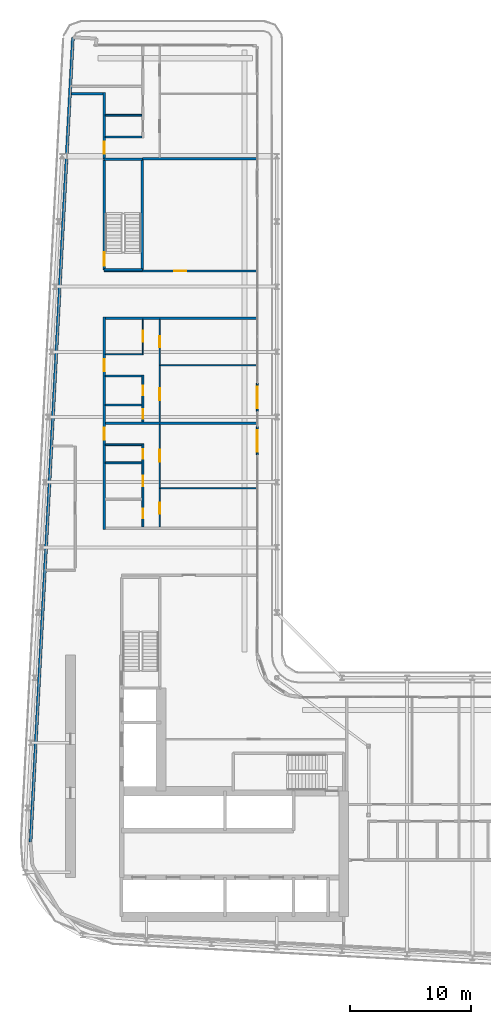
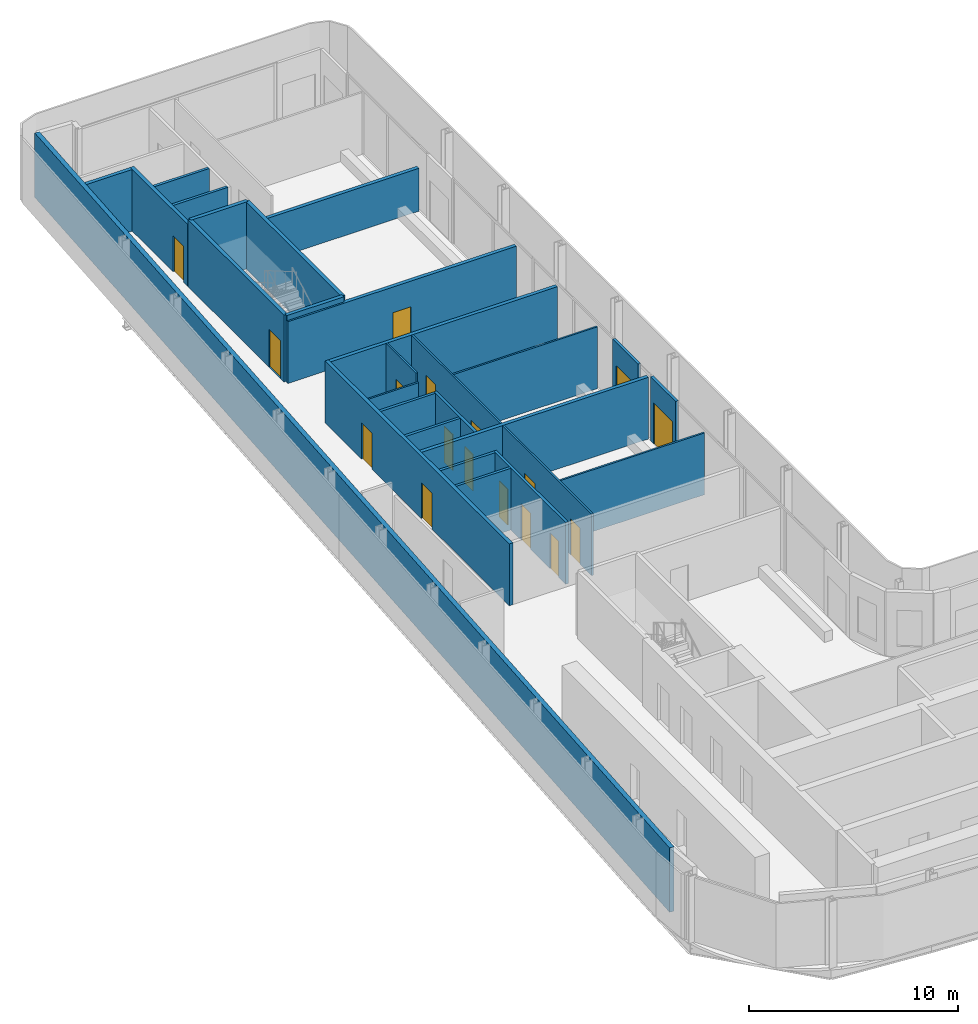
# One storey, part 17 of 26: 28 walls, 17 doors, 17 openings.
"""IFC4 building model written with IfcOpenShell, lengths in metres."""

import ifcopenshell
import ifcopenshell.guid

model = None  # the IFC model being written
_history = None  # IfcOwnerHistory: only IFC2X3 demands one
_inside = {}  # id of a spatial element -> (the spatial element, [elements in it])
_under = {}  # id of a project, library or spatial element -> (it, [spatial elements below it])
_declared = {}  # id of a project -> (the project, [libraries it declares])
_typed = {}  # id of a type object -> (the type object, [elements of that type])
_made_of = {}  # id of a material, layer set ... -> (it, [elements and type objects made of it])


def new_model(schema):
    """Start an empty IFC model of exactly this schema.

    Asked for "IFC4X3", IfcOpenShell would pick the latest addendum, in which some entities
    have other attributes; the version numbers below select the first issue.
    IFC2X3 requires an IfcOwnerHistory on every rooted entity: one is made here for all.
    """
    global model, _history
    if schema == "IFC4X3":
        model = ifcopenshell.file(schema_version=(4, 3, 0, 0))
    else:
        model = ifcopenshell.file(schema=schema)
    _inside.clear()
    _under.clear()
    _declared.clear()
    _typed.clear()
    _made_of.clear()
    _history = None
    if model.schema == "IFC2X3":
        org = make("IfcOrganization", Name="unknown")
        user = make(
            "IfcPersonAndOrganization",
            ThePerson=make("IfcPerson", FamilyName="unknown"),
            TheOrganization=org,
        )
        app = make(
            "IfcApplication",
            ApplicationDeveloper=org,
            Version="unknown",
            ApplicationFullName="unknown",
            ApplicationIdentifier="unknown",
        )
        _history = make(
            "IfcOwnerHistory",
            OwningUser=user,
            OwningApplication=app,
            ChangeAction="ADDED",
            CreationDate=0,
        )
    return model


def make(cls, **values):
    """One entity of the class cls with the attributes given. An attribute that is None is left unset."""
    return model.create_entity(
        cls, **{name: value for name, value in values.items() if value is not None}
    )


def rooted(cls, **values):
    """An entity with a GlobalId (a new one), such as an element, a storey or a relation."""
    return make(cls, GlobalId=ifcopenshell.guid.new(), OwnerHistory=_history, **values)


def si_unit(unit_type, name, prefix=None):
    """IfcSIUnit, for example si_unit("LENGTHUNIT", "METRE", prefix="MILLI")."""
    return make("IfcSIUnit", UnitType=unit_type, Prefix=prefix, Name=name)


def assignment(units):
    """IfcUnitAssignment: the units of a project."""
    return None if units is None else make("IfcUnitAssignment", Units=units)


def point(xyz):
    """IfcCartesianPoint."""
    return None if xyz is None else make("IfcCartesianPoint", Coordinates=xyz)


def direction(xyz):
    """IfcDirection."""
    return None if xyz is None else make("IfcDirection", DirectionRatios=xyz)


def frame(location, z_axis=None, x_axis=None):
    """IfcAxis2Placement3D, a coordinate frame: its origin and axes. An axis left out is left unset."""
    return make(
        "IfcAxis2Placement3D",
        Location=point(location),
        Axis=direction(z_axis),
        RefDirection=direction(x_axis),
    )


def frame_2d(location, x_axis=None):
    """IfcAxis2Placement2D, a coordinate frame in the plane: its origin and x axis."""
    return make(
        "IfcAxis2Placement2D", Location=point(location), RefDirection=direction(x_axis)
    )


def origin():
    """The frame at (0, 0, 0) with its axes left unset."""
    return frame((0.0, 0.0, 0.0))


def place(relative_to, where):
    """IfcLocalPlacement: puts the frame where relative to a parent placement (None: the world)."""
    return make(
        "IfcLocalPlacement", PlacementRelTo=relative_to, RelativePlacement=where
    )


def context(
    kind, dimensions, precision=None, world=None, true_north=None, identifier=None
):
    """IfcGeometricRepresentationContext, for example the 3D "Model" context."""
    return make(
        "IfcGeometricRepresentationContext",
        ContextIdentifier=identifier,
        ContextType=kind,
        CoordinateSpaceDimension=dimensions,
        Precision=precision,
        WorldCoordinateSystem=world,
        TrueNorth=true_north,
    )


def subcontext(parent, identifier, kind, view, scale=None):
    """IfcGeometricRepresentationSubContext, for example "Body" below "Model"."""
    return make(
        "IfcGeometricRepresentationSubContext",
        ContextIdentifier=identifier,
        ContextType=kind,
        ParentContext=parent,
        TargetScale=scale,
        TargetView=view,
    )


def project(units=None, contexts=None):
    """IfcProject with its units and contexts."""
    return rooted(
        "IfcProject",
        Name="project",
        RepresentationContexts=contexts,
        UnitsInContext=assignment(units),
    )


def spatial(cls, under=None, at=None, **own):
    """A site, building, storey or space (cls), placed at a placement, below another one or the project."""
    s = rooted(cls, ObjectPlacement=at, **own)
    if under is not None:
        _under.setdefault(under.id(), (under, []))[1].append(s)
    return s


def profile(cls, at=None, kind="AREA", **sizes):
    """A parametric profile (cls). Its sizes go by their IFC names, for example OverallWidth=200.0."""
    return make(cls, ProfileType=kind, Position=at, **sizes)


def rectangle(**sizes):
    """IfcRectangleProfileDef."""
    return profile("IfcRectangleProfileDef", **sizes)


def extrude(swept, where, along, depth):
    """IfcExtrudedAreaSolid: the profile swept, set in the frame where, extruded along a direction by depth."""
    return make(
        "IfcExtrudedAreaSolid",
        SweptArea=swept,
        Position=where,
        ExtrudedDirection=direction(along),
        Depth=depth,
    )


def shape(context_of_items, identifier, shape_type, items):
    """IfcShapeRepresentation: the items that make up one representation, for example the "Body"."""
    return make(
        "IfcShapeRepresentation",
        ContextOfItems=context_of_items,
        RepresentationIdentifier=identifier,
        RepresentationType=shape_type,
        Items=items,
    )


def source(mapping_origin, context_of_items, identifier, shape_type, items):
    """IfcRepresentationMap: a shape defined once, which mapped items show again and again."""
    return make(
        "IfcRepresentationMap",
        MappingOrigin=mapping_origin,
        MappedRepresentation=shape(context_of_items, identifier, shape_type, items),
    )


def transform(
    local_origin,
    x_axis=None,
    y_axis=None,
    z_axis=None,
    scale=None,
    scale2=None,
    scale3=None,
    uniform=True,
):
    """IfcCartesianTransformationOperator3D, or its non-uniform kind. x_axis, y_axis, z_axis: its Axis1, 2, 3."""
    if uniform:
        return make(
            "IfcCartesianTransformationOperator3D",
            Axis1=direction(x_axis),
            Axis2=direction(y_axis),
            LocalOrigin=point(local_origin),
            Scale=scale,
            Axis3=direction(z_axis),
        )
    return make(
        "IfcCartesianTransformationOperator3DnonUniform",
        Axis1=direction(x_axis),
        Axis2=direction(y_axis),
        LocalOrigin=point(local_origin),
        Scale=scale,
        Axis3=direction(z_axis),
        Scale2=scale2,
        Scale3=scale3,
    )


def mapped(mapping_source, mapping_target):
    """IfcMappedItem: shows the shape of a source again, moved by a transform."""
    return make(
        "IfcMappedItem", MappingSource=mapping_source, MappingTarget=mapping_target
    )


def material(Name=None, Category=None):
    """IfcMaterial."""
    return make("IfcMaterial", Name=Name, Category=Category)


def layer(
    of_material, thickness, ventilated=None, Name=None, Category=None, Priority=None
):
    """IfcMaterialLayer: one layer of a wall or slab, of a material (None: an air gap)."""
    return make(
        "IfcMaterialLayer",
        Material=of_material,
        LayerThickness=thickness,
        IsVentilated=ventilated,
        Name=Name,
        Category=Category,
        Priority=Priority,
    )


def layer_set(layers, Name=None):
    """IfcMaterialLayerSet."""
    return make("IfcMaterialLayerSet", MaterialLayers=layers, LayerSetName=Name)


def made_of(thing, what):
    """Note that an element or type object is made of a material, layer set ...; save() writes the relation."""
    if what is not None:
        _made_of.setdefault(what.id(), (what, []))[1].append(thing)
    return thing


def type_object(cls, material=None, **own):
    """A type object (cls), such as IfcWallType, which elements share."""
    return made_of(rooted(cls, **own), material)


def element(
    cls,
    number,
    at=None,
    inside=None,
    cuts=None,
    type_object=None,
    material=None,
    context=None,
    identifier="Body",
    shape_type=None,
    held_by="IfcProductDefinitionShape",
    body=None,
    shapes=None,
    **own,
):
    """One element of the class cls, such as IfcWall. Its Tag is "e" and its number.

    at: its placement. inside: the storey or other place that contains it. cuts: it is an
    opening in that element (IfcRelVoidsElement). A single representation is given by context,
    identifier, shape_type and body (its items); several are given by shapes. held_by: the class
    of the entity that holds the representations. save() writes the other relations.
    """
    e = rooted(cls, Tag="e%d" % number, ObjectPlacement=at, **own)
    if body is not None:
        shapes = [shape(context, identifier, shape_type, body)]
    if shapes is not None:
        e.Representation = make(held_by, Representations=shapes)
    if inside is not None:
        _inside.setdefault(inside.id(), (inside, []))[1].append(e)
    if cuts is not None:
        rooted(
            "IfcRelVoidsElement", RelatingBuildingElement=cuts, RelatedOpeningElement=e
        )
    if type_object is not None:
        _typed.setdefault(type_object.id(), (type_object, []))[1].append(e)
    return made_of(e, material)


def fill(opening, filler):
    """IfcRelFillsElement: the door or window that sits in an opening."""
    return rooted(
        "IfcRelFillsElement",
        RelatingOpeningElement=opening,
        RelatedBuildingElement=filler,
    )


def aggregate(whole, parts):
    """IfcRelAggregates: a whole, such as a stair, and the parts it consists of."""
    return rooted("IfcRelAggregates", RelatingObject=whole, RelatedObjects=parts)


def save(model, path):
    """Write the relations noted so far, then the file.

    IfcRelAggregates (storeys below a building ...), IfcRelContainedInSpatialStructure (elements
    in a storey), IfcRelDefinesByType, IfcRelAssociatesMaterial and IfcRelDeclares: one each for
    every whole, place, type object, material and project.
    """
    for whole, parts in _under.values():
        aggregate(whole, parts)
    for where, things in _inside.values():
        rooted(
            "IfcRelContainedInSpatialStructure",
            RelatedElements=things,
            RelatingStructure=where,
        )
    for kind, things in _typed.values():
        rooted("IfcRelDefinesByType", RelatedObjects=things, RelatingType=kind)
    for what, things in _made_of.values():
        rooted("IfcRelAssociatesMaterial", RelatedObjects=things, RelatingMaterial=what)
    for by, libraries in _declared.values():
        rooted("IfcRelDeclares", RelatingContext=by, RelatedDefinitions=libraries)
    model.write(path)


model = new_model("IFC4")

# Units and contexts
model_context = context("Model", 3, precision=1e-05, world=origin(), true_north=direction((0.0, 1.0)))
body_context = subcontext(model_context, "Body", "Model", "MODEL_VIEW")
ifc_project = project(units=[si_unit("LENGTHUNIT", "METRE"), si_unit("AREAUNIT", "SQUARE_METRE"), si_unit("VOLUMEUNIT", "CUBIC_METRE"), si_unit("PLANEANGLEUNIT", "RADIAN"), si_unit("MASSUNIT", "GRAM", prefix="KILO")], contexts=[model_context])

# Site, building, storey
site_placement = place(None, origin())
site = spatial("IfcSite", under=ifc_project, at=site_placement, CompositionType="ELEMENT")
building_placement = place(site_placement, origin())
building = spatial("IfcBuilding", under=site, at=building_placement, Name="Kheshtan School and Residences Tower", CompositionType="ELEMENT")
storey_placement = place(building_placement, frame((0.0, 0.0, 156.5)))
storey = spatial("IfcBuildingStorey", under=building, at=storey_placement, Name="L36", CompositionType="ELEMENT", Elevation=156.5)

# Wall
ifc_material_1 = material(Name="Gypsum board on steel studs with fire boards", Category="steel")
ifc_layer_1 = layer(ifc_material_1, 0.199951171875)
ifc_layer_set_1 = layer_set([ifc_layer_1], Name="Corridor wall 200")
wall_type_1 = type_object("IfcWallType", Name="Corridor wall 200", PredefinedType="PARTITIONING", material=ifc_layer_set_1)
wall_1_placement = place(storey_placement, frame((30.584716796875, 94.0, 0.0), z_axis=(0.0, 0.0, 1.0), x_axis=(1.0, 0.0, 0.0)))
element("IfcWall", 1, at=wall_1_placement, inside=storey, type_object=wall_type_1, Name="Partition L36-002", PredefinedType="PARTITIONING", context=body_context, shape_type="SweptSolid", body=[
    extrude(rectangle(XDim=2.615234375, YDim=0.199951171875, at=frame_2d((1.3076171875, 0.0))), origin(), (0.0, 0.0, 1.0), 3.60009765625),
])

# Wall, openings, doors
wall_2_placement = place(storey_placement, frame((33.300048828125, 57.89990234375, 0.0), z_axis=(0.0, 0.0, 1.0), x_axis=(0.0, 1.0, 0.0)))
wall_2 = element("IfcWall", 2, at=wall_2_placement, inside=storey, type_object=wall_type_1, Name="Partition L36-003", PredefinedType="PARTITIONING", context=body_context, shape_type="SweptSolid", body=[
    extrude(rectangle(XDim=17.60009765625, YDim=0.199951171875, at=frame_2d((8.800048828125, 0.0))), origin(), (0.0, 0.0, 1.0), 3.60009765625),
])
opening_1_placement = place(wall_2_placement, frame((7.39990234375, 0.0, 0.0)))
opening_1 = element("IfcOpeningElement", 3, at=opening_1_placement, cuts=wall_2, Name="Opening D35-028", PredefinedType="OPENING", context=body_context, shape_type="SweptSolid", body=[
    extrude(rectangle(XDim=1.0, YDim=2.10009765625, at=frame_2d((0.5, 1.050048828125))), frame((0.0, 0.10986328125, 0.0), z_axis=(0.0, -1.0, 0.0), x_axis=(1.0, 0.0, 0.0)), (0.0, 0.0, 1.0), 0.219970703125),
])
opening_2_placement = place(wall_2_placement, frame((13.10009765625, 0.0, 0.0)))
opening_2 = element("IfcOpeningElement", 4, at=opening_2_placement, cuts=wall_2, Name="Opening D35-034", PredefinedType="OPENING", context=body_context, shape_type="SweptSolid", body=[
    extrude(rectangle(XDim=1.0, YDim=2.10009765625, at=frame_2d((0.5, 1.050048828125))), frame((0.0, 0.10986328125, 0.0), z_axis=(0.0, -1.0, 0.0), x_axis=(1.0, 0.0, 0.0)), (0.0, 0.0, 1.0), 0.219970703125),
])
ifc_material_2 = material(Name="Steel-framed fire-resisting door leaf", Category="steel")
door_type_1 = type_object("IfcDoorType", Name="Fire door FD30S 1000 x 2100", OperationType="SINGLE_SWING_LEFT", PredefinedType="DOOR", material=ifc_material_2)
shared_shape_1 = source(origin(), body_context, "Body", "SweptSolid", [
    extrude(rectangle(XDim=1.0, YDim=2.10009765625, at=frame_2d((0.5, 1.050048828125))), frame((0.0, 0.02490234375, 0.0), z_axis=(0.0, -1.0, 0.0), x_axis=(1.0, 0.0, 0.0)), (0.0, 0.0, 1.0), 0.050048828125),
])
door_1_placement = place(opening_1_placement, origin())
door_1 = element("IfcDoor", 5, at=door_1_placement, inside=storey, type_object=door_type_1, Name="Door D35-028", OperationType="SINGLE_SWING_LEFT", OverallHeight=2.10009765625, OverallWidth=1.0, PredefinedType="DOOR", context=body_context, shape_type="MappedRepresentation", body=[
    mapped(shared_shape_1, transform((0.0, 0.0, 0.0), x_axis=(1.0, 0.0, 0.0), y_axis=(0.0, 1.0, 0.0), z_axis=(0.0, 0.0, 1.0), scale=1.0)),
])
fill(opening_1, door_1)
door_2_placement = place(opening_2_placement, origin())
door_2 = element("IfcDoor", 6, at=door_2_placement, inside=storey, type_object=door_type_1, Name="Door D35-034", OperationType="SINGLE_SWING_RIGHT", OverallHeight=2.10009765625, OverallWidth=1.0, PredefinedType="DOOR", context=body_context, shape_type="MappedRepresentation", body=[
    mapped(shared_shape_1, transform((0.0, 0.0, 0.0), x_axis=(1.0, 0.0, 0.0), y_axis=(0.0, 1.0, 0.0), z_axis=(0.0, 0.0, 1.0), scale=1.0)),
])
fill(opening_2, door_2)

# Wall, opening, door
wall_3_placement = place(storey_placement, frame((33.300048828125, 79.300048828125, 0.0), z_axis=(0.0, 0.0, 1.0), x_axis=(1.0, 0.0, 0.0)))
wall_3 = element("IfcWall", 7, at=wall_3_placement, inside=storey, type_object=wall_type_1, Name="Partition L36-004", PredefinedType="PARTITIONING", context=body_context, shape_type="SweptSolid", body=[
    extrude(rectangle(XDim=12.599853515625, YDim=0.199951171875, at=frame_2d((6.2998046875, 0.0))), origin(), (0.0, 0.0, 1.0), 3.60009765625),
])
opening_3_placement = place(wall_3_placement, frame((5.794921875, 0.0, 0.0)))
opening_3 = element("IfcOpeningElement", 8, at=opening_3_placement, cuts=wall_3, Name="Opening D35-047", PredefinedType="OPENING", context=body_context, shape_type="SweptSolid", body=[
    extrude(rectangle(XDim=1.0, YDim=2.10009765625, at=frame_2d((0.5, 1.050048828125))), frame((0.0, 0.10986328125, 0.0), z_axis=(0.0, -1.0, 0.0), x_axis=(1.0, 0.0, 0.0)), (0.0, 0.0, 1.0), 0.219970703125),
])
door_type_2 = type_object("IfcDoorType", Name="Fire door FD60 1000 x 2100", OperationType="SINGLE_SWING_LEFT", PredefinedType="DOOR", material=ifc_material_2)
shared_shape_2 = source(origin(), body_context, "Body", "SweptSolid", [
    extrude(rectangle(XDim=1.0, YDim=2.10009765625, at=frame_2d((0.5, 1.050048828125))), frame((0.0, 0.02490234375, 0.0), z_axis=(0.0, -1.0, 0.0), x_axis=(1.0, 0.0, 0.0)), (0.0, 0.0, 1.0), 0.050048828125),
])
door_3_placement = place(opening_3_placement, origin())
door_3 = element("IfcDoor", 9, at=door_3_placement, inside=storey, type_object=door_type_2, Name="Door D35-047", OperationType="SINGLE_SWING_RIGHT", OverallHeight=2.10009765625, OverallWidth=1.0, PredefinedType="DOOR", context=body_context, shape_type="MappedRepresentation", body=[
    mapped(shared_shape_2, transform((0.0, 0.0, 0.0), x_axis=(1.0, 0.0, 0.0), y_axis=(0.0, 1.0, 0.0), z_axis=(0.0, 0.0, 1.0), scale=1.0)),
])
fill(opening_3, door_3)

wall_4_placement = place(storey_placement, frame((33.300048828125, 88.60009765625, 0.0), z_axis=(0.0, 0.0, 1.0), x_axis=(0.0, 1.0, 0.0)))
wall_4 = element("IfcWall", 10, at=wall_4_placement, inside=storey, type_object=wall_type_1, Name="Partition L36-005", PredefinedType="PARTITIONING", context=body_context, shape_type="SweptSolid", body=[
    extrude(rectangle(XDim=5.5, YDim=0.199951171875, at=frame_2d((2.75, 0.0))), origin(), (0.0, 0.0, 1.0), 3.60009765625),
])
opening_4_placement = place(wall_4_placement, frame((0.39990234375, 0.0, 0.0)))
opening_4 = element("IfcOpeningElement", 11, at=opening_4_placement, cuts=wall_4, Name="Opening D35-040", PredefinedType="OPENING", context=body_context, shape_type="SweptSolid", body=[
    extrude(rectangle(XDim=1.0, YDim=2.10009765625, at=frame_2d((0.5, 1.050048828125))), frame((0.0, 0.10986328125, 0.0), z_axis=(0.0, -1.0, 0.0), x_axis=(1.0, 0.0, 0.0)), (0.0, 0.0, 1.0), 0.219970703125),
])
door_4_placement = place(opening_4_placement, origin())
door_4 = element("IfcDoor", 12, at=door_4_placement, inside=storey, type_object=door_type_1, Name="Door D35-040", OperationType="SINGLE_SWING_LEFT", OverallHeight=2.10009765625, OverallWidth=1.0, PredefinedType="DOOR", context=body_context, shape_type="MappedRepresentation", body=[
    mapped(shared_shape_1, transform((0.0, 0.0, 0.0), x_axis=(1.0, 0.0, 0.0), y_axis=(0.0, 1.0, 0.0), z_axis=(0.0, 0.0, 1.0), scale=1.0)),
])
fill(opening_4, door_4)

# Walls
wall_5_placement = place(storey_placement, frame((33.39990234375, 75.39990234375, 0.0), z_axis=(0.0, 0.0, 1.0), x_axis=(1.0, 0.0, 0.0)))
element("IfcWall", 13, at=wall_5_placement, inside=storey, type_object=wall_type_1, Name="Partition L36-014", PredefinedType="PARTITIONING", context=body_context, shape_type="SweptSolid", body=[
    extrude(rectangle(XDim=12.5, YDim=0.199951171875, at=frame_2d((6.25, 0.0))), origin(), (0.0, 0.0, 1.0), 3.60009765625),
])
ifc_material_3 = material(Name="Concrete C40/50 with ceramic cladding and mineral wool insulation", Category="concrete")
ifc_layer_2 = layer(ifc_material_3, 0.25)
ifc_layer_set_2 = layer_set([ifc_layer_2], Name="External wall 250 ceramic clad")
wall_type_2 = type_object("IfcWallType", Name="External wall 250 ceramic clad", PredefinedType="SOLIDWALL", material=ifc_layer_set_2)
wall_6_placement = place(storey_placement, frame((27.195068359375, 31.968994140625, 0.0), z_axis=(0.0, 0.0, 1.0), x_axis=(0.052554995867, 0.998618031286, 0.0)))
element("IfcWall", 14, at=wall_6_placement, inside=storey, type_object=wall_type_2, Name="External wall L36 4", PredefinedType="SOLIDWALL", context=body_context, shape_type="SweptSolid", body=[
    extrude(rectangle(XDim=66.787353515625, YDim=0.25, at=frame_2d((33.3935546875, 0.0))), origin(), (0.0, 0.0, 1.0), 3.75),
])

# Wall, opening, door
ifc_material_4 = material(Name="Aluminium frame wall with insulated infill", Category="aluminium")
ifc_layer_3 = layer(ifc_material_4, 0.14990234375)
ifc_layer_set_3 = layer_set([ifc_layer_3], Name="Glazing frame wall 150")
wall_type_3 = type_object("IfcWallType", Name="Glazing frame wall 150", PredefinedType="SOLIDWALL", material=ifc_layer_set_3)
wall_7_placement = place(storey_placement, frame((45.97509765625, 70.01806640625, 0.0), z_axis=(0.0, 0.0, 1.0), x_axis=(0.0, -1.0, 0.0)))
wall_7 = element("IfcWall", 15, at=wall_7_placement, inside=storey, type_object=wall_type_3, Name="Balcony door wall L36 8.3", PredefinedType="SOLIDWALL", context=body_context, shape_type="SweptSolid", body=[
    extrude(rectangle(XDim=2.400146484375, YDim=0.14990234375, at=frame_2d((1.2001953125, 0.0))), origin(), (0.0, 0.0, 1.0), 3.75),
])
opening_5_placement = place(wall_7_placement, frame((0.300048828125, 0.0, 0.0)))
opening_5 = element("IfcOpeningElement", 16, at=opening_5_placement, cuts=wall_7, Name="Opening BD", PredefinedType="OPENING", context=body_context, shape_type="SweptSolid", body=[
    extrude(rectangle(XDim=1.800048828125, YDim=2.39990234375, at=frame_2d((0.89990234375, 1.199951171875))), frame((0.0, 0.0849609375, 0.0), z_axis=(0.0, -1.0, 0.0), x_axis=(1.0, 0.0, 0.0)), (0.0, 0.0, 1.0), 0.169921875),
])
ifc_material_5 = material(Name="Clear low-e glass in thermally broken aluminium frame", Category="aluminium")
door_type_3 = type_object("IfcDoorType", Name="Balcony sliding door", OperationType="SLIDING_TO_LEFT", PredefinedType="DOOR", material=ifc_material_5)
shared_shape_3 = source(origin(), body_context, "Body", "SweptSolid", [
    extrude(rectangle(XDim=1.800048828125, YDim=2.39990234375, at=frame_2d((0.89990234375, 1.199951171875))), frame((0.0, 0.02490234375, 0.0), z_axis=(0.0, -1.0, 0.0), x_axis=(1.0, 0.0, 0.0)), (0.0, 0.0, 1.0), 0.050048828125),
])
door_5_placement = place(opening_5_placement, origin())
door_5 = element("IfcDoor", 17, at=door_5_placement, inside=storey, type_object=door_type_3, Name="Balcony door L36 8.3", OperationType="SLIDING_TO_LEFT", OverallHeight=2.39990234375, OverallWidth=1.800048828125, PredefinedType="DOOR", context=body_context, shape_type="MappedRepresentation", body=[
    mapped(shared_shape_3, transform((0.0, 0.0, 0.0), x_axis=(1.0, 0.0, 0.0), y_axis=(0.0, 1.0, 0.0), z_axis=(0.0, 0.0, 1.0), scale=1.0)),
])
fill(opening_5, door_5)

wall_8_placement = place(storey_placement, frame((45.97509765625, 66.41796875, 0.0), z_axis=(0.0, 0.0, 1.0), x_axis=(0.0, -1.0, 0.0)))
wall_8 = element("IfcWall", 18, at=wall_8_placement, inside=storey, type_object=wall_type_3, Name="Balcony door wall L36 8.4", PredefinedType="SOLIDWALL", context=body_context, shape_type="SweptSolid", body=[
    extrude(rectangle(XDim=2.39990234375, YDim=0.14990234375, at=frame_2d((1.199951171875, 0.0))), origin(), (0.0, 0.0, 1.0), 3.75),
])
opening_6_placement = place(wall_8_placement, frame((0.300048828125, 0.0, 0.0)))
opening_6 = element("IfcOpeningElement", 19, at=opening_6_placement, cuts=wall_8, Name="Opening BD", PredefinedType="OPENING", context=body_context, shape_type="SweptSolid", body=[
    extrude(rectangle(XDim=1.800048828125, YDim=2.39990234375, at=frame_2d((0.89990234375, 1.199951171875))), frame((0.0, 0.0849609375, 0.0), z_axis=(0.0, -1.0, 0.0), x_axis=(1.0, 0.0, 0.0)), (0.0, 0.0, 1.0), 0.169921875),
])
door_6_placement = place(opening_6_placement, origin())
door_6 = element("IfcDoor", 20, at=door_6_placement, inside=storey, type_object=door_type_3, Name="Balcony door L36 8.4", OperationType="SLIDING_TO_LEFT", OverallHeight=2.39990234375, OverallWidth=1.800048828125, PredefinedType="DOOR", context=body_context, shape_type="MappedRepresentation", body=[
    mapped(shared_shape_3, transform((0.0, 0.0, 0.0), x_axis=(1.0, 0.0, 0.0), y_axis=(0.0, 1.0, 0.0), z_axis=(0.0, 0.0, 1.0), scale=1.0)),
])
fill(opening_6, door_6)

# Wall
ifc_material_6 = material(Name="Gypsum board on steel studs", Category="steel")
ifc_layer_4 = layer(ifc_material_6, 0.10009765625)
ifc_layer_set_4 = layer_set([ifc_layer_4], Name="Gypsum partition 100")
wall_type_4 = type_object("IfcWallType", Name="Gypsum partition 100", PredefinedType="PARTITIONING", material=ifc_layer_set_4)
wall_9_placement = place(storey_placement, frame((33.39990234375, 72.39990234375, 0.0), z_axis=(0.0, 0.0, 1.0), x_axis=(1.0, 0.0, 0.0)))
element("IfcWall", 21, at=wall_9_placement, inside=storey, type_object=wall_type_4, Name="Partition L36-013", PredefinedType="PARTITIONING", context=body_context, shape_type="SweptSolid", body=[
    extrude(rectangle(XDim=3.150146484375, YDim=0.10009765625, at=frame_2d((1.5751953125, 0.0))), origin(), (0.0, 0.0, 1.0), 3.072021484375),
])

# Wall, opening, door
wall_10_placement = place(storey_placement, frame((36.5, 72.449951171875, 0.0), z_axis=(0.0, 0.0, 1.0), x_axis=(0.0, 1.0, 0.0)))
wall_10 = element("IfcWall", 22, at=wall_10_placement, inside=storey, type_object=wall_type_4, Name="Partition L36-020", PredefinedType="PARTITIONING", context=body_context, shape_type="SweptSolid", body=[
    extrude(rectangle(XDim=2.85009765625, YDim=0.10009765625, at=frame_2d((1.425048828125, 0.0))), origin(), (0.0, 0.0, 1.0), 3.60009765625),
])
opening_7_placement = place(wall_10_placement, frame((1.0, 0.0, 0.0)))
opening_7 = element("IfcOpeningElement", 23, at=opening_7_placement, cuts=wall_10, Name="Opening D35-035", PredefinedType="OPENING", context=body_context, shape_type="SweptSolid", body=[
    extrude(rectangle(XDim=0.89990234375, YDim=2.10009765625, at=frame_2d((0.449951171875, 1.050048828125))), frame((0.0, 0.06005859375, 0.0), z_axis=(0.0, -1.0, 0.0), x_axis=(1.0, 0.0, 0.0)), (0.0, 0.0, 1.0), 0.1201171875),
])
ifc_material_7 = material(Name="Veneered timber door leaf", Category="wood")
door_type_4 = type_object("IfcDoorType", Name="Door 900 x 2100", OperationType="SINGLE_SWING_LEFT", PredefinedType="DOOR", material=ifc_material_7)
shared_shape_4 = source(origin(), body_context, "Body", "SweptSolid", [
    extrude(rectangle(XDim=0.89990234375, YDim=2.10009765625, at=frame_2d((0.449951171875, 1.050048828125))), frame((0.0, 0.02490234375, 0.0), z_axis=(0.0, -1.0, 0.0), x_axis=(1.0, 0.0, 0.0)), (0.0, 0.0, 1.0), 0.050048828125),
])
door_7_placement = place(opening_7_placement, origin())
door_7 = element("IfcDoor", 24, at=door_7_placement, inside=storey, type_object=door_type_4, Name="Door D35-035", OperationType="SINGLE_SWING_RIGHT", OverallHeight=2.10009765625, OverallWidth=0.89990234375, PredefinedType="DOOR", context=body_context, shape_type="MappedRepresentation", body=[
    mapped(shared_shape_4, transform((0.0, 0.0, 0.0), x_axis=(1.0, 0.0, 0.0), y_axis=(0.0, 1.0, 0.0), z_axis=(0.0, 0.0, 1.0), scale=1.0)),
])
fill(opening_7, door_7)

# Wall, openings, doors
wall_11_placement = place(storey_placement, frame((37.89990234375, 58.10009765625, 0.0), z_axis=(0.0, 0.0, 1.0), x_axis=(0.0, 1.0, 0.0)))
wall_11 = element("IfcWall", 25, at=wall_11_placement, inside=storey, type_object=wall_type_4, Name="Partition L36-023", PredefinedType="PARTITIONING", context=body_context, shape_type="SweptSolid", body=[
    extrude(rectangle(XDim=8.5, YDim=0.10009765625, at=frame_2d((4.25, 0.0))), origin(), (0.0, 0.0, 1.0), 3.60009765625),
])
opening_8_placement = place(wall_11_placement, frame((1.10009765625, 0.0, 0.0)))
opening_8 = element("IfcOpeningElement", 26, at=opening_8_placement, cuts=wall_11, Name="Opening D35-027", PredefinedType="OPENING", context=body_context, shape_type="SweptSolid", body=[
    extrude(rectangle(XDim=0.89990234375, YDim=2.10009765625, at=frame_2d((0.449951171875, 1.050048828125))), frame((0.0, 0.06005859375, 0.0), z_axis=(0.0, -1.0, 0.0), x_axis=(1.0, 0.0, 0.0)), (0.0, 0.0, 1.0), 0.1201171875),
])
opening_9_placement = place(wall_11_placement, frame((5.39990234375, 0.0, 0.0)))
opening_9 = element("IfcOpeningElement", 27, at=opening_9_placement, cuts=wall_11, Name="Opening D35-030", PredefinedType="OPENING", context=body_context, shape_type="SweptSolid", body=[
    extrude(rectangle(XDim=1.0, YDim=2.10009765625, at=frame_2d((0.5, 1.050048828125))), frame((0.0, 0.06005859375, 0.0), z_axis=(0.0, -1.0, 0.0), x_axis=(1.0, 0.0, 0.0)), (0.0, 0.0, 1.0), 0.1201171875),
])
door_type_5 = type_object("IfcDoorType", Name="Door 1000 x 2100", OperationType="SINGLE_SWING_LEFT", PredefinedType="DOOR", material=ifc_material_7)
shared_shape_5 = source(origin(), body_context, "Body", "SweptSolid", [
    extrude(rectangle(XDim=1.0, YDim=2.10009765625, at=frame_2d((0.5, 1.050048828125))), frame((0.0, 0.02490234375, 0.0), z_axis=(0.0, -1.0, 0.0), x_axis=(1.0, 0.0, 0.0)), (0.0, 0.0, 1.0), 0.050048828125),
])
door_8_placement = place(opening_9_placement, origin())
door_8 = element("IfcDoor", 28, at=door_8_placement, inside=storey, type_object=door_type_5, Name="Door D35-030", OperationType="SINGLE_SWING_RIGHT", OverallHeight=2.10009765625, OverallWidth=1.0, PredefinedType="DOOR", context=body_context, shape_type="MappedRepresentation", body=[
    mapped(shared_shape_5, transform((0.0, 0.0, 0.0), x_axis=(1.0, 0.0, 0.0), y_axis=(0.0, 1.0, 0.0), z_axis=(0.0, 0.0, 1.0), scale=1.0)),
])
fill(opening_9, door_8)
door_9_placement = place(opening_8_placement, origin())
door_9 = element("IfcDoor", 29, at=door_9_placement, inside=storey, type_object=door_type_4, Name="Door D35-027", OperationType="SINGLE_SWING_LEFT", OverallHeight=2.10009765625, OverallWidth=0.89990234375, PredefinedType="DOOR", context=body_context, shape_type="MappedRepresentation", body=[
    mapped(shared_shape_4, transform((0.0, 0.0, 0.0), x_axis=(1.0, 0.0, 0.0), y_axis=(0.0, 1.0, 0.0), z_axis=(0.0, 0.0, 1.0), scale=1.0)),
])
fill(opening_8, door_9)

wall_12_placement = place(storey_placement, frame((37.89990234375, 66.800048828125, 0.0), z_axis=(0.0, 0.0, 1.0), x_axis=(0.0, 1.0, 0.0)))
wall_12 = element("IfcWall", 30, at=wall_12_placement, inside=storey, type_object=wall_type_4, Name="Partition L36-024", PredefinedType="PARTITIONING", context=body_context, shape_type="SweptSolid", body=[
    extrude(rectangle(XDim=8.5, YDim=0.10009765625, at=frame_2d((4.25, 0.0))), origin(), (0.0, 0.0, 1.0), 3.60009765625),
])
opening_10_placement = place(wall_12_placement, frame((6.199951171875, 0.0, 0.0)))
opening_10 = element("IfcOpeningElement", 31, at=opening_10_placement, cuts=wall_12, Name="Opening D35-033", PredefinedType="OPENING", context=body_context, shape_type="SweptSolid", body=[
    extrude(rectangle(XDim=0.89990234375, YDim=2.10009765625, at=frame_2d((0.449951171875, 1.050048828125))), frame((0.0, 0.06005859375, 0.0), z_axis=(0.0, -1.0, 0.0), x_axis=(1.0, 0.0, 0.0)), (0.0, 0.0, 1.0), 0.1201171875),
])
opening_11_placement = place(wall_12_placement, frame((1.800048828125, 0.0, 0.0)))
opening_11 = element("IfcOpeningElement", 32, at=opening_11_placement, cuts=wall_12, Name="Opening D35-036", PredefinedType="OPENING", context=body_context, shape_type="SweptSolid", body=[
    extrude(rectangle(XDim=1.0, YDim=2.10009765625, at=frame_2d((0.5, 1.050048828125))), frame((0.0, 0.06005859375, 0.0), z_axis=(0.0, -1.0, 0.0), x_axis=(1.0, 0.0, 0.0)), (0.0, 0.0, 1.0), 0.1201171875),
])
door_10_placement = place(opening_11_placement, origin())
door_10 = element("IfcDoor", 33, at=door_10_placement, inside=storey, type_object=door_type_5, Name="Door D35-036", OperationType="SINGLE_SWING_RIGHT", OverallHeight=2.10009765625, OverallWidth=1.0, PredefinedType="DOOR", context=body_context, shape_type="MappedRepresentation", body=[
    mapped(shared_shape_5, transform((0.0, 0.0, 0.0), x_axis=(1.0, 0.0, 0.0), y_axis=(0.0, 1.0, 0.0), z_axis=(0.0, 0.0, 1.0), scale=1.0)),
])
fill(opening_11, door_10)
door_11_placement = place(opening_10_placement, origin())
door_11 = element("IfcDoor", 34, at=door_11_placement, inside=storey, type_object=door_type_4, Name="Door D35-033", OperationType="SINGLE_SWING_RIGHT", OverallHeight=2.10009765625, OverallWidth=0.89990234375, PredefinedType="DOOR", context=body_context, shape_type="MappedRepresentation", body=[
    mapped(shared_shape_4, transform((0.0, 0.0, 0.0), x_axis=(1.0, 0.0, 0.0), y_axis=(0.0, 1.0, 0.0), z_axis=(0.0, 0.0, 1.0), scale=1.0)),
])
fill(opening_10, door_11)

# Walls
for number, where, z_axis, x_axis, name in (
    (35, (37.949951171875, 61.300048828125, 0.0), (0.0, 0.0, 1.0), (1.0, 0.0, 0.0), "Partition L36-026"),
    (36, (37.949951171875, 71.5, 0.0), (0.0, 0.0, 1.0), (1.0, 0.0, 0.0), "Partition L36-027"),
):
    element("IfcWall", number, at=place(storey_placement, frame(where, z_axis=z_axis, x_axis=x_axis)), inside=storey, type_object=wall_type_4, Name=name, PredefinedType="PARTITIONING", context=body_context, shape_type="SweptSolid", body=[
        extrude(rectangle(XDim=7.949951171875, YDim=0.10009765625, at=frame_2d((3.97509765625, 0.0))), origin(), (0.0, 0.0, 1.0), 3.60009765625),
    ])
ifc_material_8 = material(Name="Concrete C40/50", Category="concrete")
ifc_layer_5 = layer(ifc_material_8, 0.199951171875)
ifc_layer_set_5 = layer_set([ifc_layer_5], Name="Stair enclosure wall 200 Concrete C40/50")
wall_type_5 = type_object("IfcWallType", Name="Stair enclosure wall 200 Concrete C40/50", PredefinedType="SHEAR", material=ifc_layer_set_5)
for number, where, z_axis, x_axis, name in (
    (37, (33.300048828125, 79.39990234375, 0.0), (0.0, 0.0, 1.0), (1.0, 0.0, 0.0), "Stair enclosure wall ST3"),
    (38, (33.300048828125, 88.56005859375, 0.0), (0.0, 0.0, 1.0), (1.0, 0.0, 0.0), "Stair enclosure wall ST3"),
):
    element("IfcWall", number, at=place(storey_placement, frame(where, z_axis=z_axis, x_axis=x_axis)), inside=storey, type_object=wall_type_5, Name=name, PredefinedType="SHEAR", context=body_context, shape_type="SweptSolid", body=[
        extrude(rectangle(XDim=3.14990234375, YDim=0.199951171875, at=frame_2d((1.574951171875, 0.0))), origin(), (0.0, 0.0, 1.0), 3.89990234375),
    ])

# Wall, opening, door
wall_13_placement = place(storey_placement, frame((33.300048828125, 79.39990234375, 0.0), z_axis=(0.0, 0.0, 1.0), x_axis=(0.0, 1.0, 0.0)))
wall_13 = element("IfcWall", 39, at=wall_13_placement, inside=storey, type_object=wall_type_5, Name="Stair enclosure wall ST3", PredefinedType="SHEAR", context=body_context, shape_type="SweptSolid", body=[
    extrude(rectangle(XDim=9.16015625, YDim=0.199951171875, at=frame_2d((4.580078125, 0.0))), origin(), (0.0, 0.0, 1.0), 3.89990234375),
])
opening_12_placement = place(wall_13_placement, frame((0.35009765625, 0.0, 0.0)))
opening_12 = element("IfcOpeningElement", 40, at=opening_12_placement, cuts=wall_13, Name="Opening ST3D", PredefinedType="OPENING", context=body_context, shape_type="SweptSolid", body=[
    extrude(rectangle(XDim=1.10009765625, YDim=2.199951171875, at=frame_2d((0.550048828125, 1.10009765625))), frame((0.0, 0.10986328125, 0.0), z_axis=(0.0, -1.0, 0.0), x_axis=(1.0, 0.0, 0.0)), (0.0, 0.0, 1.0), 0.219970703125),
])
ifc_material_9 = material(Name="Steel door leaf, galvanised", Category="steel")
door_type_6 = type_object("IfcDoorType", Name="Stair door 1100 steel 90 min", OperationType="SINGLE_SWING_LEFT", PredefinedType="DOOR", material=ifc_material_9)
shared_shape_6 = source(origin(), body_context, "Body", "SweptSolid", [
    extrude(rectangle(XDim=1.10009765625, YDim=2.199951171875, at=frame_2d((0.550048828125, 1.10009765625))), frame((0.0, 0.02490234375, 0.0), z_axis=(0.0, -1.0, 0.0), x_axis=(1.0, 0.0, 0.0)), (0.0, 0.0, 1.0), 0.050048828125),
])
door_12_placement = place(opening_12_placement, origin())
door_12 = element("IfcDoor", 41, at=door_12_placement, inside=storey, type_object=door_type_6, Name="Stair ST3 door", OperationType="SINGLE_SWING_RIGHT", OverallHeight=2.199951171875, OverallWidth=1.10009765625, PredefinedType="DOOR", context=body_context, shape_type="MappedRepresentation", body=[
    mapped(shared_shape_6, transform((0.0, 0.0, 0.0), x_axis=(1.0, 0.0, 0.0), y_axis=(0.0, 1.0, 0.0), z_axis=(0.0, 0.0, 1.0), scale=1.0)),
])
fill(opening_12, door_12)

# Walls
wall_14_placement = place(storey_placement, frame((36.449951171875, 79.39990234375, 0.0), z_axis=(0.0, 0.0, 1.0), x_axis=(0.0, 1.0, 0.0)))
element("IfcWall", 42, at=wall_14_placement, inside=storey, type_object=wall_type_5, Name="Stair enclosure wall ST3", PredefinedType="SHEAR", context=body_context, shape_type="SweptSolid", body=[
    extrude(rectangle(XDim=9.16015625, YDim=0.199951171875, at=frame_2d((4.580078125, 0.0))), origin(), (0.0, 0.0, 1.0), 3.89990234375),
])
ifc_material_10 = material(Name="Twin gypsum board on steel studs with mineral wool", Category="steel")
ifc_layer_6 = layer(ifc_material_10, 0.199951171875)
ifc_layer_set_6 = layer_set([ifc_layer_6], Name="Unit demising wall 200")
wall_type_6 = type_object("IfcWallType", Name="Unit demising wall 200", PredefinedType="PARTITIONING", material=ifc_layer_set_6)
wall_15_placement = place(storey_placement, frame((33.39990234375, 66.699951171875, 0.0), z_axis=(0.0, 0.0, 1.0), x_axis=(1.0, 0.0, 0.0)))
element("IfcWall", 43, at=wall_15_placement, inside=storey, type_object=wall_type_6, Name="Partition L36-010", PredefinedType="PARTITIONING", context=body_context, shape_type="SweptSolid", body=[
    extrude(rectangle(XDim=12.5, YDim=0.199951171875, at=frame_2d((6.25, 0.0))), origin(), (0.0, 0.0, 1.0), 3.60009765625),
])
wall_16_placement = place(storey_placement, frame((36.449951171875, 88.60009765625, 0.0), z_axis=(0.0, 0.0, 1.0), x_axis=(1.0, 0.0, 0.0)))
element("IfcWall", 44, at=wall_16_placement, inside=storey, type_object=wall_type_6, Name="Partition L36-021", PredefinedType="PARTITIONING", context=body_context, shape_type="SweptSolid", body=[
    extrude(rectangle(XDim=9.449951171875, YDim=0.199951171875, at=frame_2d((4.72509765625, 0.0))), origin(), (0.0, 0.0, 1.0), 2.5),
])
ifc_material_11 = material(Name="Moisture-resistant gypsum board on steel studs", Category="steel")
ifc_layer_7 = layer(ifc_material_11, 0.14990234375)
ifc_layer_set_7 = layer_set([ifc_layer_7], Name="Wet-room partition 150")
wall_type_7 = type_object("IfcWallType", Name="Wet-room partition 150", PredefinedType="PARTITIONING", material=ifc_layer_set_7)
for number, where, z_axis, x_axis, name in (
    (45, (33.39990234375, 63.39990234375, 0.0), (0.0, 0.0, 1.0), (1.0, 0.0, 0.0), "Partition L36-008"),
    (46, (33.39990234375, 64.89990234375, 0.0), (0.0, 0.0, 1.0), (1.0, 0.0, 0.0), "Partition L36-009"),
    (47, (33.39990234375, 68.199951171875, 0.0), (0.0, 0.0, 1.0), (1.0, 0.0, 0.0), "Partition L36-011"),
    (48, (33.39990234375, 70.60009765625, 0.0), (0.0, 0.0, 1.0), (1.0, 0.0, 0.0), "Partition L36-012"),
    (49, (33.39990234375, 90.39990234375, 0.0), (0.0, 0.0, 1.0), (1.0, 0.0, 0.0), "Partition L36-015"),
    (50, (33.39990234375, 92.199951171875, 0.0), (0.0, 0.0, 1.0), (1.0, 0.0, 0.0), "Partition L36-016"),
):
    element("IfcWall", number, at=place(storey_placement, frame(where, z_axis=z_axis, x_axis=x_axis)), inside=storey, type_object=wall_type_7, Name=name, PredefinedType="PARTITIONING", context=body_context, shape_type="SweptSolid", body=[
        extrude(rectangle(XDim=3.025146484375, YDim=0.14990234375, at=frame_2d((1.5126953125, 0.0))), origin(), (0.0, 0.0, 1.0), 3.60009765625),
    ])

# Wall, openings, doors
wall_17_placement = place(storey_placement, frame((36.5, 58.10009765625, 0.0), z_axis=(0.0, 0.0, 1.0), x_axis=(0.0, 1.0, 0.0)))
wall_17 = element("IfcWall", 51, at=wall_17_placement, inside=storey, type_object=wall_type_7, Name="Partition L36-018", PredefinedType="PARTITIONING", context=body_context, shape_type="SweptSolid", body=[
    extrude(rectangle(XDim=6.875, YDim=0.14990234375, at=frame_2d((3.4375, 0.0))), origin(), (0.0, 0.0, 1.0), 3.60009765625),
])
opening_13_placement = place(wall_17_placement, frame((0.699951171875, 0.0, 0.0)))
opening_13 = element("IfcOpeningElement", 52, at=opening_13_placement, cuts=wall_17, Name="Opening D35-026", PredefinedType="OPENING", context=body_context, shape_type="SweptSolid", body=[
    extrude(rectangle(XDim=0.800048828125, YDim=2.10009765625, at=frame_2d((0.39990234375, 1.050048828125))), frame((0.0, 0.0849609375, 0.0), z_axis=(0.0, -1.0, 0.0), x_axis=(1.0, 0.0, 0.0)), (0.0, 0.0, 1.0), 0.169921875),
])
opening_14_placement = place(wall_17_placement, frame((3.35009765625, 0.0, 0.0)))
opening_14 = element("IfcOpeningElement", 53, at=opening_14_placement, cuts=wall_17, Name="Opening D35-029", PredefinedType="OPENING", context=body_context, shape_type="SweptSolid", body=[
    extrude(rectangle(XDim=0.89990234375, YDim=2.10009765625, at=frame_2d((0.449951171875, 1.050048828125))), frame((0.0, 0.0849609375, 0.0), z_axis=(0.0, -1.0, 0.0), x_axis=(1.0, 0.0, 0.0)), (0.0, 0.0, 1.0), 0.169921875),
])
opening_15_placement = place(wall_17_placement, frame((5.64990234375, 0.0, 0.0)))
opening_15 = element("IfcOpeningElement", 54, at=opening_15_placement, cuts=wall_17, Name="Opening D35-031", PredefinedType="OPENING", context=body_context, shape_type="SweptSolid", body=[
    extrude(rectangle(XDim=0.800048828125, YDim=2.10009765625, at=frame_2d((0.39990234375, 1.050048828125))), frame((0.0, 0.0849609375, 0.0), z_axis=(0.0, -1.0, 0.0), x_axis=(1.0, 0.0, 0.0)), (0.0, 0.0, 1.0), 0.169921875),
])
door_type_7 = type_object("IfcDoorType", Name="Door 800 x 2100", OperationType="SINGLE_SWING_LEFT", PredefinedType="DOOR", material=ifc_material_7)
shared_shape_7 = source(origin(), body_context, "Body", "SweptSolid", [
    extrude(rectangle(XDim=0.800048828125, YDim=2.10009765625, at=frame_2d((0.39990234375, 1.050048828125))), frame((0.0, 0.02490234375, 0.0), z_axis=(0.0, -1.0, 0.0), x_axis=(1.0, 0.0, 0.0)), (0.0, 0.0, 1.0), 0.050048828125),
])
door_13_placement = place(opening_13_placement, origin())
door_13 = element("IfcDoor", 55, at=door_13_placement, inside=storey, type_object=door_type_7, Name="Door D35-026", OperationType="SINGLE_SWING_LEFT", OverallHeight=2.10009765625, OverallWidth=0.800048828125, PredefinedType="DOOR", context=body_context, shape_type="MappedRepresentation", body=[
    mapped(shared_shape_7, transform((0.0, 0.0, 0.0), x_axis=(1.0, 0.0, 0.0), y_axis=(0.0, 1.0, 0.0), z_axis=(0.0, 0.0, 1.0), scale=1.0)),
])
fill(opening_13, door_13)
door_14_placement = place(opening_15_placement, origin())
door_14 = element("IfcDoor", 56, at=door_14_placement, inside=storey, type_object=door_type_7, Name="Door D35-031", OperationType="SINGLE_SWING_RIGHT", OverallHeight=2.10009765625, OverallWidth=0.800048828125, PredefinedType="DOOR", context=body_context, shape_type="MappedRepresentation", body=[
    mapped(shared_shape_7, transform((0.0, 0.0, 0.0), x_axis=(1.0, 0.0, 0.0), y_axis=(0.0, 1.0, 0.0), z_axis=(0.0, 0.0, 1.0), scale=1.0)),
])
fill(opening_15, door_14)
door_15_placement = place(opening_14_placement, origin())
door_15 = element("IfcDoor", 57, at=door_15_placement, inside=storey, type_object=door_type_4, Name="Door D35-029", OperationType="SINGLE_SWING_RIGHT", OverallHeight=2.10009765625, OverallWidth=0.89990234375, PredefinedType="DOOR", context=body_context, shape_type="MappedRepresentation", body=[
    mapped(shared_shape_4, transform((0.0, 0.0, 0.0), x_axis=(1.0, 0.0, 0.0), y_axis=(0.0, 1.0, 0.0), z_axis=(0.0, 0.0, 1.0), scale=1.0)),
])
fill(opening_14, door_15)

wall_18_placement = place(storey_placement, frame((36.5, 66.800048828125, 0.0), z_axis=(0.0, 0.0, 1.0), x_axis=(0.0, 1.0, 0.0)))
wall_18 = element("IfcWall", 58, at=wall_18_placement, inside=storey, type_object=wall_type_7, Name="Partition L36-019", PredefinedType="PARTITIONING", context=body_context, shape_type="SweptSolid", body=[
    extrude(rectangle(XDim=3.875, YDim=0.14990234375, at=frame_2d((1.9375, 0.0))), origin(), (0.0, 0.0, 1.0), 3.60009765625),
])
opening_16_placement = place(wall_18_placement, frame((2.199951171875, 0.0, 0.0)))
opening_16 = element("IfcOpeningElement", 59, at=opening_16_placement, cuts=wall_18, Name="Opening D35-032", PredefinedType="OPENING", context=body_context, shape_type="SweptSolid", body=[
    extrude(rectangle(XDim=0.800048828125, YDim=2.10009765625, at=frame_2d((0.39990234375, 1.050048828125))), frame((0.0, 0.0849609375, 0.0), z_axis=(0.0, -1.0, 0.0), x_axis=(1.0, 0.0, 0.0)), (0.0, 0.0, 1.0), 0.169921875),
])
opening_17_placement = place(wall_18_placement, frame((0.25, 0.0, 0.0)))
opening_17 = element("IfcOpeningElement", 60, at=opening_17_placement, cuts=wall_18, Name="Opening D35-037", PredefinedType="OPENING", context=body_context, shape_type="SweptSolid", body=[
    extrude(rectangle(XDim=0.800048828125, YDim=2.10009765625, at=frame_2d((0.39990234375, 1.050048828125))), frame((0.0, 0.0849609375, 0.0), z_axis=(0.0, -1.0, 0.0), x_axis=(1.0, 0.0, 0.0)), (0.0, 0.0, 1.0), 0.169921875),
])
door_16_placement = place(opening_16_placement, origin())
door_16 = element("IfcDoor", 61, at=door_16_placement, inside=storey, type_object=door_type_7, Name="Door D35-032", OperationType="SINGLE_SWING_RIGHT", OverallHeight=2.10009765625, OverallWidth=0.800048828125, PredefinedType="DOOR", context=body_context, shape_type="MappedRepresentation", body=[
    mapped(shared_shape_7, transform((0.0, 0.0, 0.0), x_axis=(1.0, 0.0, 0.0), y_axis=(0.0, 1.0, 0.0), z_axis=(0.0, 0.0, 1.0), scale=1.0)),
])
fill(opening_16, door_16)
door_17_placement = place(opening_17_placement, origin())
door_17 = element("IfcDoor", 62, at=door_17_placement, inside=storey, type_object=door_type_7, Name="Door D35-037", OperationType="SINGLE_SWING_RIGHT", OverallHeight=2.10009765625, OverallWidth=0.800048828125, PredefinedType="DOOR", context=body_context, shape_type="MappedRepresentation", body=[
    mapped(shared_shape_7, transform((0.0, 0.0, 0.0), x_axis=(1.0, 0.0, 0.0), y_axis=(0.0, 1.0, 0.0), z_axis=(0.0, 0.0, 1.0), scale=1.0)),
])
fill(opening_17, door_17)

save(model, "model.ifc")
